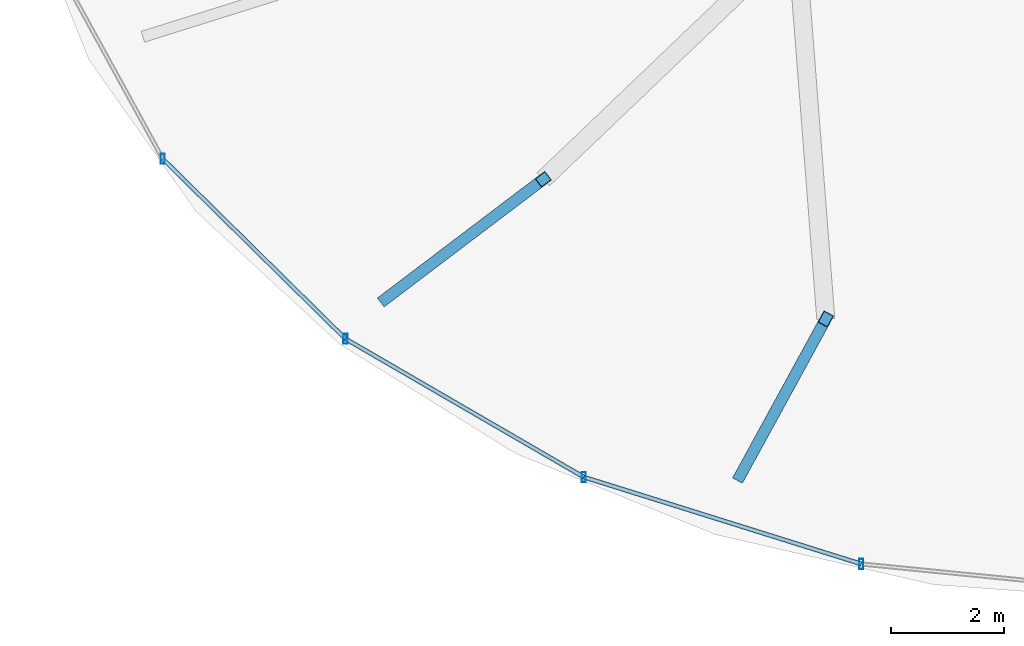
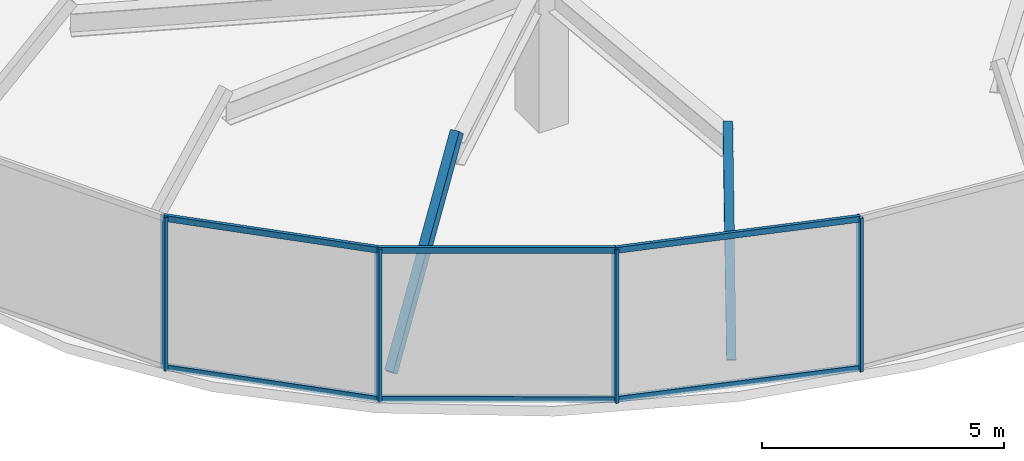
# One storey, part 2 of 14: 12 members, 1 element without a shape of its own.
"""IFC4 building model written with IfcOpenShell, lengths in metres."""

from ifc_helpers import new_model, si_unit, direction, frame, origin, origin_2d, place, context, subcontext, project, spatial, hollow_rectangle, extrude, material, material_profile, profile_set, type_object, element, aggregate, save


model = new_model("IFC4")

# Units and contexts
model_context = context("Model", 3, precision=1e-05, world=origin(), true_north=direction((0.0, 1.0)))
body_context = subcontext(model_context, "Body", "Model", "MODEL_VIEW")
ifc_project = project(units=[si_unit("LENGTHUNIT", "METRE"), si_unit("AREAUNIT", "SQUARE_METRE"), si_unit("VOLUMEUNIT", "CUBIC_METRE"), si_unit("PLANEANGLEUNIT", "RADIAN"), si_unit("MASSUNIT", "GRAM", prefix="KILO")], contexts=[model_context])

# Site, building, storey
site_placement = place(None, origin())
site = spatial("IfcSite", under=ifc_project, at=site_placement, CompositionType="ELEMENT")
building_placement = place(site_placement, origin())
building = spatial("IfcBuilding", under=site, at=building_placement, Name="Vorneva Point Tower", CompositionType="ELEMENT")
storey_placement = place(building_placement, frame((0.0, 0.0, 299.199951171875)))
storey = spatial("IfcBuildingStorey", under=building, at=storey_placement, Name="C02", CompositionType="ELEMENT", Elevation=299.199951171875)

# Curtain wall, members
ifc_material_1 = material(Name="Pale anodised aluminium", Category="aluminium")
curtain_wall_type = type_object("IfcCurtainWallType", Name="CW-CRN-SYS", PredefinedType="NOTDEFINED", material=ifc_material_1)
curtain_wall_placement = place(storey_placement, origin())
curtain_wall = element("IfcCurtainWall", 1, at=curtain_wall_placement, inside=storey, type_object=curtain_wall_type, Name="C02 Unitised Curtain Wall CW-C02-Q3", PredefinedType="NOTDEFINED")
ifc_material_profile_1 = material_profile(ifc_material_1, hollow_rectangle(XDim=0.074951171875, YDim=0.179931640625, WallThickness=0.00390625, at=origin_2d()), Name="AL-MUL 180x75x4")
ifc_profile_set_1 = profile_set([ifc_material_profile_1], Name="Pale anodised aluminium")
member_type_1 = type_object("IfcMemberType", Name="CW-MUL-180", PredefinedType="MULLION", material=ifc_profile_set_1)
member_1_placement = place(storey_placement, frame((20.2880859375, 18.27001953125, -0.0400390625), z_axis=(0.0, 0.0, 1.0), x_axis=(1.0, 0.0, 0.0)))
member_1 = element("IfcMember", 2, at=member_1_placement, type_object=member_type_1, Name="CW-C02-Q3 Mullion 03", PredefinedType="MULLION", context=body_context, shape_type="SweptSolid", body=[
    extrude(hollow_rectangle(XDim=0.074951171875, YDim=0.179931640625, WallThickness=0.00390625, at=origin_2d()), origin(), (0.0, 0.0, 1.0), 3.8701171875),
])
member_2_placement = place(storey_placement, frame((23.538330078125, 15.068115234375, -0.0400390625), z_axis=(0.0, 0.0, 1.0), x_axis=(1.0, 0.0, 0.0)))
member_2 = element("IfcMember", 3, at=member_2_placement, type_object=member_type_1, Name="CW-C02-Q3 Mullion 04", PredefinedType="MULLION", context=body_context, shape_type="SweptSolid", body=[
    extrude(hollow_rectangle(XDim=0.074951171875, YDim=0.179931640625, WallThickness=0.00390625, at=origin_2d()), origin(), (0.0, 0.0, 1.0), 3.8701171875),
])
member_3_placement = place(storey_placement, frame((27.77392578125, 12.611083984375, -0.0400390625), z_axis=(0.0, 0.0, 1.0), x_axis=(1.0, 0.0, 0.0)))
member_3 = element("IfcMember", 4, at=member_3_placement, type_object=member_type_1, Name="CW-C02-Q3 Mullion 05", PredefinedType="MULLION", context=body_context, shape_type="SweptSolid", body=[
    extrude(hollow_rectangle(XDim=0.074951171875, YDim=0.179931640625, WallThickness=0.00390625, at=origin_2d()), origin(), (0.0, 0.0, 1.0), 3.8701171875),
])
member_4_placement = place(storey_placement, frame((32.70654296875, 11.06689453125, -0.0400390625), z_axis=(0.0, 0.0, 1.0), x_axis=(1.0, 0.0, 0.0)))
member_4 = element("IfcMember", 5, at=member_4_placement, type_object=member_type_1, Name="CW-C02-Q3 Mullion 06", PredefinedType="MULLION", context=body_context, shape_type="SweptSolid", body=[
    extrude(hollow_rectangle(XDim=0.074951171875, YDim=0.179931640625, WallThickness=0.00390625, at=origin_2d()), origin(), (0.0, 0.0, 1.0), 3.8701171875),
])
ifc_material_profile_2 = material_profile(ifc_material_1, hollow_rectangle(XDim=0.074951171875, YDim=0.14990234375, WallThickness=0.00390625, at=origin_2d()), Name="AL-TRN 150x75x4")
ifc_profile_set_2 = profile_set([ifc_material_profile_2], Name="Pale anodised aluminium")
member_type_2 = type_object("IfcMemberType", Name="CW-TRN-150", PredefinedType="USERDEFINED", material=ifc_profile_set_2)
member_5_placement = place(storey_placement, frame((20.2880859375, 18.27001953125, 0.02001953125), z_axis=(0.712384470192, -0.701789403332, 0.0), x_axis=(0.701789403332, 0.712384470192, 0.0)))
member_5 = element("IfcMember", 6, at=member_5_placement, type_object=member_type_2, Name="CW-C02-Q3 Transom 03.1", ObjectType="TRANSOM", PredefinedType="USERDEFINED", context=body_context, shape_type="SweptSolid", body=[
    extrude(hollow_rectangle(XDim=0.074951171875, YDim=0.14990234375, WallThickness=0.00390625, at=origin_2d()), origin(), (0.0, 0.0, 1.0), 4.5625),
])
member_6_placement = place(storey_placement, frame((20.2880859375, 18.27001953125, 3.780029296875), z_axis=(0.712384470192, -0.701789403332, 0.0), x_axis=(0.701789403332, 0.712384470192, 0.0)))
member_6 = element("IfcMember", 7, at=member_6_placement, type_object=member_type_2, Name="CW-C02-Q3 Transom 03.2", ObjectType="TRANSOM", PredefinedType="USERDEFINED", context=body_context, shape_type="SweptSolid", body=[
    extrude(hollow_rectangle(XDim=0.074951171875, YDim=0.14990234375, WallThickness=0.00390625, at=origin_2d()), origin(), (0.0, 0.0, 1.0), 4.5625),
])
member_7_placement = place(storey_placement, frame((23.538330078125, 15.068115234375, 0.02001953125), z_axis=(0.864996998067, -0.50177703548, 0.0), x_axis=(0.50177703548, 0.864996998067, 0.0)))
member_7 = element("IfcMember", 8, at=member_7_placement, type_object=member_type_2, Name="CW-C02-Q3 Transom 04.1", ObjectType="TRANSOM", PredefinedType="USERDEFINED", context=body_context, shape_type="SweptSolid", body=[
    extrude(hollow_rectangle(XDim=0.074951171875, YDim=0.14990234375, WallThickness=0.00390625, at=origin_2d()), origin(), (0.0, 0.0, 1.0), 4.896728515625),
])
member_8_placement = place(storey_placement, frame((23.538330078125, 15.068115234375, 3.780029296875), z_axis=(0.864996998067, -0.50177703548, 0.0), x_axis=(0.50177703548, 0.864996998067, 0.0)))
member_8 = element("IfcMember", 9, at=member_8_placement, type_object=member_type_2, Name="CW-C02-Q3 Transom 04.2", ObjectType="TRANSOM", PredefinedType="USERDEFINED", context=body_context, shape_type="SweptSolid", body=[
    extrude(hollow_rectangle(XDim=0.074951171875, YDim=0.14990234375, WallThickness=0.00390625, at=origin_2d()), origin(), (0.0, 0.0, 1.0), 4.896728515625),
])
member_9_placement = place(storey_placement, frame((27.77392578125, 12.611083984375, 0.02001953125), z_axis=(0.954328569955, -0.298759067757, 0.0), x_axis=(0.298759067757, 0.954328569955, 0.0)))
member_9 = element("IfcMember", 10, at=member_9_placement, type_object=member_type_2, Name="CW-C02-Q3 Transom 05.1", ObjectType="TRANSOM", PredefinedType="USERDEFINED", context=body_context, shape_type="SweptSolid", body=[
    extrude(hollow_rectangle(XDim=0.074951171875, YDim=0.14990234375, WallThickness=0.00390625, at=origin_2d()), origin(), (0.0, 0.0, 1.0), 5.168701171875),
])
member_10_placement = place(storey_placement, frame((27.77392578125, 12.611083984375, 3.780029296875), z_axis=(0.954328569955, -0.298759067757, 0.0), x_axis=(0.298759067757, 0.954328569955, 0.0)))
member_10 = element("IfcMember", 11, at=member_10_placement, type_object=member_type_2, Name="CW-C02-Q3 Transom 05.2", ObjectType="TRANSOM", PredefinedType="USERDEFINED", context=body_context, shape_type="SweptSolid", body=[
    extrude(hollow_rectangle(XDim=0.074951171875, YDim=0.14990234375, WallThickness=0.00390625, at=origin_2d()), origin(), (0.0, 0.0, 1.0), 5.168701171875),
])
aggregate(curtain_wall, [member_1, member_2, member_3, member_4, member_5, member_6, member_7, member_8, member_9, member_10])

# Members
ifc_material_2 = material(Name="Steel S355", Category="steel")
ifc_material_profile_3 = material_profile(ifc_material_2, hollow_rectangle(XDim=0.199951171875, YDim=0.300048828125, WallThickness=0.011962890625, at=origin_2d()), Name="PP 300x200x12")
ifc_profile_set_3 = profile_set([ifc_material_profile_3], Name="Steel S355")
member_type_3 = type_object("IfcMemberType", Name="MBR-CRN-PP300", PredefinedType="CHORD", material=ifc_profile_set_3)
member_11_placement = place(storey_placement, frame((24.25244140625, 15.7822265625, 0.0), z_axis=(0.541071287919, 0.409919646066, 0.73430766383), x_axis=(-0.603873744737, 0.797079983702, 0.0)))
element("IfcMember", 12, at=member_11_placement, inside=storey, type_object=member_type_3, Name="Crown Tapered Frame Rib C02-11", PredefinedType="CHORD", context=body_context, shape_type="SweptSolid", body=[
    extrude(hollow_rectangle(XDim=0.199951171875, YDim=0.300048828125, WallThickness=0.011962890625, at=origin_2d()), origin(), (0.0, 0.0, 1.0), 5.175048828125),
])
member_12_placement = place(storey_placement, frame((30.559814453125, 12.64990234375, 0.0), z_axis=(0.306659075277, 0.56089906261, 0.768994442837), x_axis=(-0.877425528815, 0.479712873897, 0.0)))
element("IfcMember", 13, at=member_12_placement, inside=storey, type_object=member_type_3, Name="Crown Tapered Frame Rib C02-12", PredefinedType="CHORD", context=body_context, shape_type="SweptSolid", body=[
    extrude(hollow_rectangle(XDim=0.199951171875, YDim=0.300048828125, WallThickness=0.011962890625, at=origin_2d()), origin(), (0.0, 0.0, 1.0), 4.941650390625),
])

save(model, "model.ifc")
